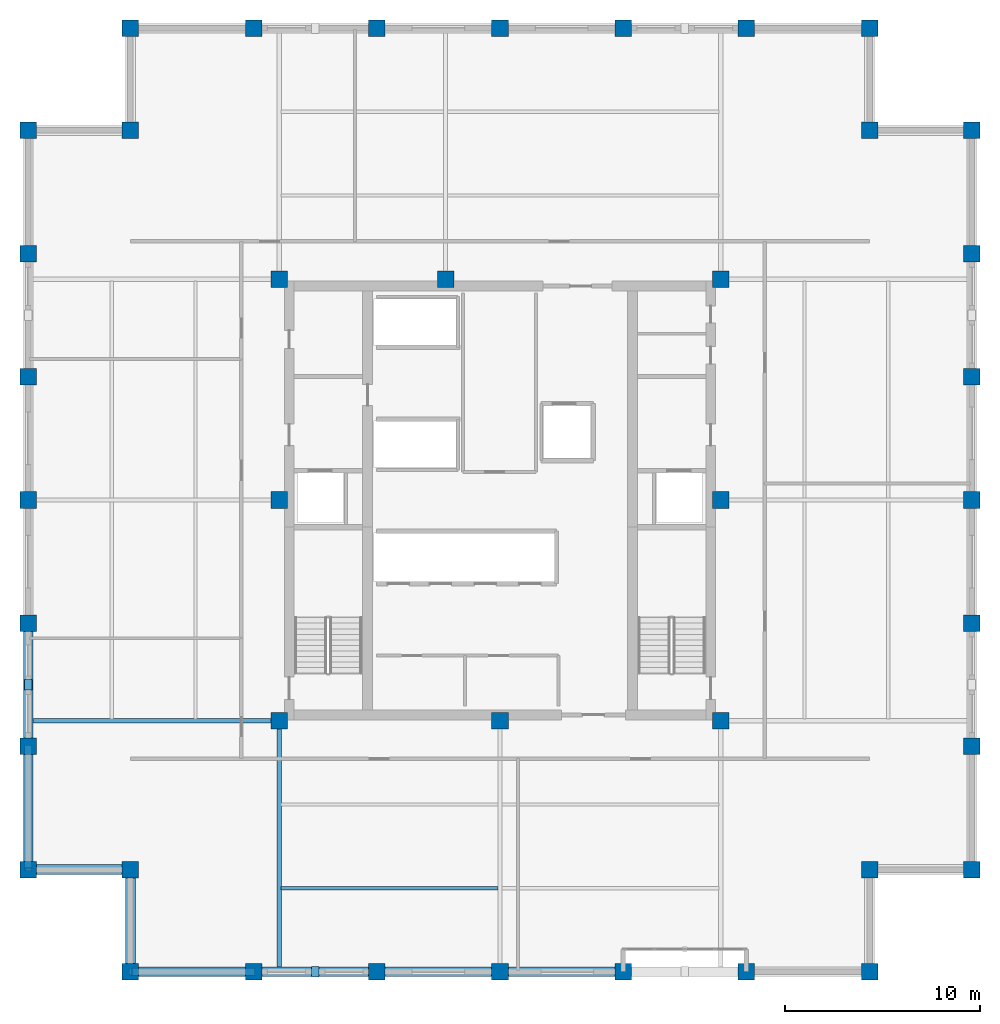
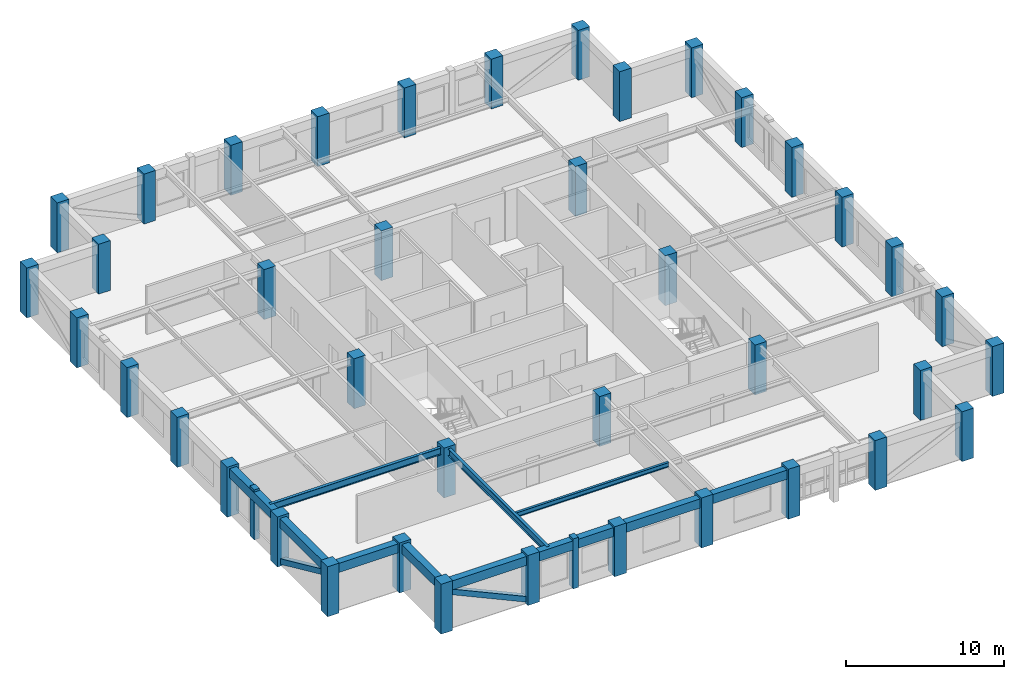
# One storey, part 1 of 10: 40 columns, 11 beams, 4 members.
"""IFC4 building model written with IfcOpenShell, lengths in metres."""

import ifcopenshell
import ifcopenshell.guid

model = None  # the IFC model being written
_history = None  # IfcOwnerHistory: only IFC2X3 demands one
_inside = {}  # id of a spatial element -> (the spatial element, [elements in it])
_under = {}  # id of a project, library or spatial element -> (it, [spatial elements below it])
_declared = {}  # id of a project -> (the project, [libraries it declares])
_typed = {}  # id of a type object -> (the type object, [elements of that type])
_made_of = {}  # id of a material, layer set ... -> (it, [elements and type objects made of it])


def new_model(schema):
    """Start an empty IFC model of exactly this schema.

    Asked for "IFC4X3", IfcOpenShell would pick the latest addendum, in which some entities
    have other attributes; the version numbers below select the first issue.
    IFC2X3 requires an IfcOwnerHistory on every rooted entity: one is made here for all.
    """
    global model, _history
    if schema == "IFC4X3":
        model = ifcopenshell.file(schema_version=(4, 3, 0, 0))
    else:
        model = ifcopenshell.file(schema=schema)
    _inside.clear()
    _under.clear()
    _declared.clear()
    _typed.clear()
    _made_of.clear()
    _history = None
    if model.schema == "IFC2X3":
        org = make("IfcOrganization", Name="unknown")
        user = make(
            "IfcPersonAndOrganization",
            ThePerson=make("IfcPerson", FamilyName="unknown"),
            TheOrganization=org,
        )
        app = make(
            "IfcApplication",
            ApplicationDeveloper=org,
            Version="unknown",
            ApplicationFullName="unknown",
            ApplicationIdentifier="unknown",
        )
        _history = make(
            "IfcOwnerHistory",
            OwningUser=user,
            OwningApplication=app,
            ChangeAction="ADDED",
            CreationDate=0,
        )
    return model


def make(cls, **values):
    """One entity of the class cls with the attributes given. An attribute that is None is left unset."""
    return model.create_entity(
        cls, **{name: value for name, value in values.items() if value is not None}
    )


def rooted(cls, **values):
    """An entity with a GlobalId (a new one), such as an element, a storey or a relation."""
    return make(cls, GlobalId=ifcopenshell.guid.new(), OwnerHistory=_history, **values)


def si_unit(unit_type, name, prefix=None):
    """IfcSIUnit, for example si_unit("LENGTHUNIT", "METRE", prefix="MILLI")."""
    return make("IfcSIUnit", UnitType=unit_type, Prefix=prefix, Name=name)


def assignment(units):
    """IfcUnitAssignment: the units of a project."""
    return None if units is None else make("IfcUnitAssignment", Units=units)


def point(xyz):
    """IfcCartesianPoint."""
    return None if xyz is None else make("IfcCartesianPoint", Coordinates=xyz)


def direction(xyz):
    """IfcDirection."""
    return None if xyz is None else make("IfcDirection", DirectionRatios=xyz)


def frame(location, z_axis=None, x_axis=None):
    """IfcAxis2Placement3D, a coordinate frame: its origin and axes. An axis left out is left unset."""
    return make(
        "IfcAxis2Placement3D",
        Location=point(location),
        Axis=direction(z_axis),
        RefDirection=direction(x_axis),
    )


def frame_2d(location, x_axis=None):
    """IfcAxis2Placement2D, a coordinate frame in the plane: its origin and x axis."""
    return make(
        "IfcAxis2Placement2D", Location=point(location), RefDirection=direction(x_axis)
    )


def origin():
    """The frame at (0, 0, 0) with its axes left unset."""
    return frame((0.0, 0.0, 0.0))


def origin_2d():
    """The frame at (0, 0) in the plane with its x axis left unset."""
    return frame_2d((0.0, 0.0))


def place(relative_to, where):
    """IfcLocalPlacement: puts the frame where relative to a parent placement (None: the world)."""
    return make(
        "IfcLocalPlacement", PlacementRelTo=relative_to, RelativePlacement=where
    )


def context(
    kind, dimensions, precision=None, world=None, true_north=None, identifier=None
):
    """IfcGeometricRepresentationContext, for example the 3D "Model" context."""
    return make(
        "IfcGeometricRepresentationContext",
        ContextIdentifier=identifier,
        ContextType=kind,
        CoordinateSpaceDimension=dimensions,
        Precision=precision,
        WorldCoordinateSystem=world,
        TrueNorth=true_north,
    )


def subcontext(parent, identifier, kind, view, scale=None):
    """IfcGeometricRepresentationSubContext, for example "Body" below "Model"."""
    return make(
        "IfcGeometricRepresentationSubContext",
        ContextIdentifier=identifier,
        ContextType=kind,
        ParentContext=parent,
        TargetScale=scale,
        TargetView=view,
    )


def project(units=None, contexts=None):
    """IfcProject with its units and contexts."""
    return rooted(
        "IfcProject",
        Name="project",
        RepresentationContexts=contexts,
        UnitsInContext=assignment(units),
    )


def spatial(cls, under=None, at=None, **own):
    """A site, building, storey or space (cls), placed at a placement, below another one or the project."""
    s = rooted(cls, ObjectPlacement=at, **own)
    if under is not None:
        _under.setdefault(under.id(), (under, []))[1].append(s)
    return s


def profile(cls, at=None, kind="AREA", **sizes):
    """A parametric profile (cls). Its sizes go by their IFC names, for example OverallWidth=200.0."""
    return make(cls, ProfileType=kind, Position=at, **sizes)


def rectangle(**sizes):
    """IfcRectangleProfileDef."""
    return profile("IfcRectangleProfileDef", **sizes)


def hollow_rectangle(**sizes):
    """IfcRectangleHollowProfileDef."""
    return profile("IfcRectangleHollowProfileDef", **sizes)


def i_section(**sizes):
    """IfcIShapeProfileDef."""
    return profile("IfcIShapeProfileDef", **sizes)


def extrude(swept, where, along, depth):
    """IfcExtrudedAreaSolid: the profile swept, set in the frame where, extruded along a direction by depth."""
    return make(
        "IfcExtrudedAreaSolid",
        SweptArea=swept,
        Position=where,
        ExtrudedDirection=direction(along),
        Depth=depth,
    )


def shape(context_of_items, identifier, shape_type, items):
    """IfcShapeRepresentation: the items that make up one representation, for example the "Body"."""
    return make(
        "IfcShapeRepresentation",
        ContextOfItems=context_of_items,
        RepresentationIdentifier=identifier,
        RepresentationType=shape_type,
        Items=items,
    )


def material(Name=None, Category=None):
    """IfcMaterial."""
    return make("IfcMaterial", Name=Name, Category=Category)


def material_profile(
    of_material, cross_section, Name=None, Category=None, Priority=None
):
    """IfcMaterialProfile: a cross section and its material."""
    return make(
        "IfcMaterialProfile",
        Name=Name,
        Material=of_material,
        Profile=cross_section,
        Priority=Priority,
        Category=Category,
    )


def profile_set(profiles, Name=None, composite=None):
    """IfcMaterialProfileSet."""
    return make(
        "IfcMaterialProfileSet",
        Name=Name,
        MaterialProfiles=profiles,
        CompositeProfile=composite,
    )


def made_of(thing, what):
    """Note that an element or type object is made of a material, layer set ...; save() writes the relation."""
    if what is not None:
        _made_of.setdefault(what.id(), (what, []))[1].append(thing)
    return thing


def type_object(cls, material=None, **own):
    """A type object (cls), such as IfcWallType, which elements share."""
    return made_of(rooted(cls, **own), material)


def element(
    cls,
    number,
    at=None,
    inside=None,
    cuts=None,
    type_object=None,
    material=None,
    context=None,
    identifier="Body",
    shape_type=None,
    held_by="IfcProductDefinitionShape",
    body=None,
    shapes=None,
    **own,
):
    """One element of the class cls, such as IfcWall. Its Tag is "e" and its number.

    at: its placement. inside: the storey or other place that contains it. cuts: it is an
    opening in that element (IfcRelVoidsElement). A single representation is given by context,
    identifier, shape_type and body (its items); several are given by shapes. held_by: the class
    of the entity that holds the representations. save() writes the other relations.
    """
    e = rooted(cls, Tag="e%d" % number, ObjectPlacement=at, **own)
    if body is not None:
        shapes = [shape(context, identifier, shape_type, body)]
    if shapes is not None:
        e.Representation = make(held_by, Representations=shapes)
    if inside is not None:
        _inside.setdefault(inside.id(), (inside, []))[1].append(e)
    if cuts is not None:
        rooted(
            "IfcRelVoidsElement", RelatingBuildingElement=cuts, RelatedOpeningElement=e
        )
    if type_object is not None:
        _typed.setdefault(type_object.id(), (type_object, []))[1].append(e)
    return made_of(e, material)


def aggregate(whole, parts):
    """IfcRelAggregates: a whole, such as a stair, and the parts it consists of."""
    return rooted("IfcRelAggregates", RelatingObject=whole, RelatedObjects=parts)


def save(model, path):
    """Write the relations noted so far, then the file.

    IfcRelAggregates (storeys below a building ...), IfcRelContainedInSpatialStructure (elements
    in a storey), IfcRelDefinesByType, IfcRelAssociatesMaterial and IfcRelDeclares: one each for
    every whole, place, type object, material and project.
    """
    for whole, parts in _under.values():
        aggregate(whole, parts)
    for where, things in _inside.values():
        rooted(
            "IfcRelContainedInSpatialStructure",
            RelatedElements=things,
            RelatingStructure=where,
        )
    for kind, things in _typed.values():
        rooted("IfcRelDefinesByType", RelatedObjects=things, RelatingType=kind)
    for what, things in _made_of.values():
        rooted("IfcRelAssociatesMaterial", RelatedObjects=things, RelatingMaterial=what)
    for by, libraries in _declared.values():
        rooted("IfcRelDeclares", RelatingContext=by, RelatedDefinitions=libraries)
    model.write(path)


model = new_model("IFC4")

# Units and contexts
model_context = context("Model", 3, precision=1e-05, world=origin(), true_north=direction((0.0, 1.0)))
body_context = subcontext(model_context, "Body", "Model", "MODEL_VIEW")
ifc_project = project(units=[si_unit("LENGTHUNIT", "METRE"), si_unit("AREAUNIT", "SQUARE_METRE"), si_unit("VOLUMEUNIT", "CUBIC_METRE"), si_unit("PLANEANGLEUNIT", "RADIAN"), si_unit("MASSUNIT", "GRAM", prefix="KILO")], contexts=[model_context])

# Site, building, storey
site_placement = place(None, origin())
site = spatial("IfcSite", under=ifc_project, at=site_placement, CompositionType="ELEMENT")
building_placement = place(site_placement, origin())
building = spatial("IfcBuilding", under=site, at=building_placement, Name="Nhamokura Convention Tower", CompositionType="ELEMENT")
storey_placement = place(building_placement, frame((0.0, 0.0, 210.0)))
storey = spatial("IfcBuildingStorey", under=building, at=storey_placement, Name="L51", CompositionType="ELEMENT", Elevation=210.0)

# Columns
ifc_material_1 = material(Name="Concrete C50/60", Category="concrete")
ifc_material_profile_1 = material_profile(ifc_material_1, rectangle(XDim=0.85009765625, YDim=0.85009765625, at=origin_2d()))
ifc_profile_set_1 = profile_set([ifc_material_profile_1], Name="Concrete C50/60")
column_type = type_object("IfcColumnType", Name="TubeColumn_Z3_850", PredefinedType="COLUMN", material=ifc_profile_set_1)
for number, where, z_axis, x_axis, name in (
    (1, (20.64990234375, 20.64990234375, 0.0), (0.0, 0.0, 1.0), (1.0, 0.0, 0.0), "L51 Core Column CC-SW"),
    (2, (32.0, 20.64990234375, 0.0), (0.0, 0.0, 1.0), (1.0, 0.0, 0.0), "L51 Core Column CC-S"),
    (3, (43.35009765625, 20.64990234375, 0.0), (0.0, 0.0, 1.0), (1.0, 0.0, 0.0), "L51 Core Column CC-SE"),
    (4, (43.35009765625, 32.0, 0.0), (0.0, 0.0, 1.0), (1.0, 0.0, 0.0), "L51 Core Column CC-E"),
    (5, (43.35009765625, 43.35009765625, 0.0), (0.0, 0.0, 1.0), (1.0, 0.0, 0.0), "L51 Core Column CC-NE"),
    (6, (29.199951171875, 43.35009765625, 0.0), (0.0, 0.0, 1.0), (1.0, 0.0, 0.0), "L51 Core Column CC-N"),
    (7, (20.64990234375, 43.35009765625, 0.0), (0.0, 0.0, 1.0), (1.0, 0.0, 0.0), "L51 Core Column CC-NW"),
    (8, (20.64990234375, 32.0, 0.0), (0.0, 0.0, 1.0), (1.0, 0.0, 0.0), "L51 Core Column CC-W"),
    (9, (13.0, 7.75, 0.0), (0.0, 0.0, 1.0), (1.0, 0.0, 0.0), "L51 Perimeter Tube Column SW1"),
    (10, (13.0, 13.0, 0.0), (0.0, 0.0, 1.0), (1.0, 0.0, 0.0), "L51 Perimeter Tube Column SW0"),
    (11, (7.75, 13.0, 0.0), (0.0, 0.0, 1.0), (1.0, 0.0, 0.0), "L51 Perimeter Tube Column SW2"),
    (12, (51.0, 7.75, 0.0), (0.0, 0.0, 1.0), (1.0, 0.0, 0.0), "L51 Perimeter Tube Column SE1"),
    (13, (51.0, 13.0, 0.0), (0.0, 0.0, 1.0), (1.0, 0.0, 0.0), "L51 Perimeter Tube Column SE0"),
    (14, (56.25, 13.0, 0.0), (0.0, 0.0, 1.0), (1.0, 0.0, 0.0), "L51 Perimeter Tube Column SE2"),
    (15, (56.25, 51.0, 0.0), (0.0, 0.0, 1.0), (1.0, 0.0, 0.0), "L51 Perimeter Tube Column NE1"),
    (16, (51.0, 51.0, 0.0), (0.0, 0.0, 1.0), (1.0, 0.0, 0.0), "L51 Perimeter Tube Column NE0"),
    (17, (51.0, 56.25, 0.0), (0.0, 0.0, 1.0), (1.0, 0.0, 0.0), "L51 Perimeter Tube Column NE2"),
    (18, (13.0, 56.25, 0.0), (0.0, 0.0, 1.0), (1.0, 0.0, 0.0), "L51 Perimeter Tube Column NW1"),
    (19, (13.0, 51.0, 0.0), (0.0, 0.0, 1.0), (1.0, 0.0, 0.0), "L51 Perimeter Tube Column NW0"),
    (20, (7.75, 51.0, 0.0), (0.0, 0.0, 1.0), (1.0, 0.0, 0.0), "L51 Perimeter Tube Column NW2"),
    (21, (19.333251953125, 7.75, 0.0), (0.0, 0.0, 1.0), (1.0, 0.0, 0.0), "L51 Perimeter Tube Column S1"),
    (22, (19.333251953125, 56.25, 0.0), (0.0, 0.0, 1.0), (1.0, 0.0, 0.0), "L51 Perimeter Tube Column N1"),
    (23, (7.75, 19.333251953125, 0.0), (0.0, 0.0, 1.0), (1.0, 0.0, 0.0), "L51 Perimeter Tube Column W1"),
    (24, (56.25, 19.333251953125, 0.0), (0.0, 0.0, 1.0), (1.0, 0.0, 0.0), "L51 Perimeter Tube Column E1"),
    (25, (25.666748046875, 7.75, 0.0), (0.0, 0.0, 1.0), (1.0, 0.0, 0.0), "L51 Perimeter Tube Column S2"),
    (26, (25.666748046875, 56.25, 0.0), (0.0, 0.0, 1.0), (1.0, 0.0, 0.0), "L51 Perimeter Tube Column N2"),
    (27, (7.75, 25.666748046875, 0.0), (0.0, 0.0, 1.0), (1.0, 0.0, 0.0), "L51 Perimeter Tube Column W2"),
    (28, (56.25, 25.666748046875, 0.0), (0.0, 0.0, 1.0), (1.0, 0.0, 0.0), "L51 Perimeter Tube Column E2"),
    (29, (32.0, 7.75, 0.0), (0.0, 0.0, 1.0), (1.0, 0.0, 0.0), "L51 Perimeter Tube Column S3"),
    (30, (32.0, 56.25, 0.0), (0.0, 0.0, 1.0), (1.0, 0.0, 0.0), "L51 Perimeter Tube Column N3"),
    (31, (7.75, 32.0, 0.0), (0.0, 0.0, 1.0), (1.0, 0.0, 0.0), "L51 Perimeter Tube Column W3"),
    (32, (56.25, 32.0, 0.0), (0.0, 0.0, 1.0), (1.0, 0.0, 0.0), "L51 Perimeter Tube Column E3"),
    (33, (38.333251953125, 7.75, 0.0), (0.0, 0.0, 1.0), (1.0, 0.0, 0.0), "L51 Perimeter Tube Column S4"),
    (34, (38.333251953125, 56.25, 0.0), (0.0, 0.0, 1.0), (1.0, 0.0, 0.0), "L51 Perimeter Tube Column N4"),
    (35, (7.75, 38.333251953125, 0.0), (0.0, 0.0, 1.0), (1.0, 0.0, 0.0), "L51 Perimeter Tube Column W4"),
    (36, (56.25, 38.333251953125, 0.0), (0.0, 0.0, 1.0), (1.0, 0.0, 0.0), "L51 Perimeter Tube Column E4"),
    (37, (44.666748046875, 7.75, 0.0), (0.0, 0.0, 1.0), (1.0, 0.0, 0.0), "L51 Perimeter Tube Column S5"),
    (38, (44.666748046875, 56.25, 0.0), (0.0, 0.0, 1.0), (1.0, 0.0, 0.0), "L51 Perimeter Tube Column N5"),
    (39, (7.75, 44.666748046875, 0.0), (0.0, 0.0, 1.0), (1.0, 0.0, 0.0), "L51 Perimeter Tube Column W5"),
    (40, (56.25, 44.666748046875, 0.0), (0.0, 0.0, 1.0), (1.0, 0.0, 0.0), "L51 Perimeter Tube Column E5"),
):
    element("IfcColumn", number, at=place(storey_placement, frame(where, z_axis=z_axis, x_axis=x_axis)), inside=storey, type_object=column_type, Name=name, PredefinedType="COLUMN", context=body_context, shape_type="SweptSolid", body=[
        extrude(rectangle(XDim=0.85009765625, YDim=0.85009765625, at=origin_2d()), origin(), (0.0, 0.0, 1.0), 3.85009765625),
    ])

# Members
ifc_material_2 = material(Name="Bronze-pigmented precast concrete C45/55", Category="concrete")
ifc_material_profile_2 = material_profile(ifc_material_2, rectangle(XDim=0.39990234375, YDim=0.550048828125, at=origin_2d()))
ifc_profile_set_2 = profile_set([ifc_material_profile_2], Name="Bronze-pigmented precast concrete C45/55")
member_type_1 = type_object("IfcMemberType", Name="BronzePilaster_550", PredefinedType="USERDEFINED", material=ifc_profile_set_2)
for number, where, z_axis, x_axis, name in (
    (41, (22.5, 7.75, 0.0), (0.0, 0.0, 1.0), (1.0, 0.0, 0.0), "L51 Engaged Frame Pilaster SOUTH 1"),
    (42, (7.75, 22.5, 0.0), (0.0, 0.0, 1.0), (1.0, 0.0, 0.0), "L51 Engaged Frame Pilaster WEST 1"),
):
    element("IfcMember", number, at=place(storey_placement, frame(where, z_axis=z_axis, x_axis=x_axis)), inside=storey, type_object=member_type_1, Name=name, ObjectType="PILASTER_TRIM", PredefinedType="USERDEFINED", context=body_context, shape_type="SweptSolid", body=[
        extrude(rectangle(XDim=0.39990234375, YDim=0.550048828125, at=origin_2d()), origin(), (0.0, 0.0, 1.0), 3.85009765625),
    ])

# Beams
ifc_material_3 = material(Name="Steel ASTM A992 Gr 50", Category="steel")
ifc_material_profile_3 = material_profile(ifc_material_3, i_section(OverallWidth=0.172119140625, OverallDepth=0.35791015625, WebThickness=0.0078125, FlangeThickness=0.01318359375, at=origin_2d()))
ifc_profile_set_3 = profile_set([ifc_material_profile_3], Name="Steel ASTM A992 Gr 50")
beam_type_1 = type_object("IfcBeamType", Name="FloorJoist_W360X57", PredefinedType="JOIST", material=ifc_profile_set_3)
beam_1_placement = place(storey_placement, frame((20.75341796875, 12.050048828125, 3.506103515625), z_axis=(1.0, 0.0, 0.0), x_axis=(0.0, 1.0, 0.0)))
element("IfcBeam", 43, at=beam_1_placement, inside=storey, type_object=beam_type_1, Name="L51 Composite Floor Joist S1A", PredefinedType="JOIST", context=body_context, shape_type="SweptSolid", body=[
    extrude(i_section(OverallWidth=0.172119140625, OverallDepth=0.35791015625, WebThickness=0.0078125, FlangeThickness=0.01318359375, at=origin_2d()), origin(), (0.0, 0.0, 1.0), 11.14306640625),
])
ifc_material_4 = material(Name="Steel ASTM A992 Gr 50", Category="steel")
ifc_material_profile_4 = material_profile(ifc_material_4, i_section(OverallWidth=0.2109375, OverallDepth=0.5390625, WebThickness=0.01171875, FlangeThickness=0.018798828125, at=origin_2d()))
ifc_profile_set_4 = profile_set([ifc_material_profile_4], Name="Steel ASTM A992 Gr 50")
beam_type_2 = type_object("IfcBeamType", Name="PrimaryGirder_W530X109", PredefinedType="BEAM", material=ifc_profile_set_4)
for number, where, z_axis, x_axis, name in (
    (44, (20.64990234375, 7.75, 3.41552734375), (0.0, 1.0, 0.0), (-1.0, 0.0, 0.0), "L51 Primary Floor Girder PG-S1"),
    (45, (7.75, 20.64990234375, 3.41552734375), (1.0, 0.0, 0.0), (0.0, 1.0, 0.0), "L51 Primary Floor Girder PG-W1"),
):
    element("IfcBeam", number, at=place(storey_placement, frame(where, z_axis=z_axis, x_axis=x_axis)), inside=storey, type_object=beam_type_2, Name=name, PredefinedType="BEAM", context=body_context, shape_type="SweptSolid", body=[
        extrude(i_section(OverallWidth=0.2109375, OverallDepth=0.5390625, WebThickness=0.01171875, FlangeThickness=0.018798828125, at=origin_2d()), origin(), (0.0, 0.0, 1.0), 12.89990234375),
    ])

# Members
ifc_material_5 = material(Name="Steel ASTM A572 Gr 50", Category="steel")
ifc_material_profile_5 = material_profile(ifc_material_5, hollow_rectangle(XDim=0.39990234375, YDim=0.39990234375, WallThickness=0.02001953125, at=origin_2d()))
ifc_profile_set_5 = profile_set([ifc_material_profile_5], Name="Steel ASTM A572 Gr 50")
member_type_2 = type_object("IfcMemberType", Name="TubeBrace_HSS400", PredefinedType="BRACE", material=ifc_profile_set_5)
for number, where, z_axis, x_axis, name in (
    (46, (19.333251953125, 7.75, 0.14990234375), (-0.910027379678, 0.0, 0.41454814948), (0.0, -1.0, 0.0), "L51 Perimeter Tube Brace SOUTH Bay 0"),
    (47, (7.75, 19.333251953125, 0.14990234375), (0.0, -0.910027379678, 0.41454814948), (1.0, 0.0, 0.0), "L51 Perimeter Tube Brace WEST Bay 0"),
):
    element("IfcMember", number, at=place(storey_placement, frame(where, z_axis=z_axis, x_axis=x_axis)), inside=storey, type_object=member_type_2, Name=name, PredefinedType="BRACE", context=body_context, shape_type="SweptSolid", body=[
        extrude(hollow_rectangle(XDim=0.39990234375, YDim=0.39990234375, WallThickness=0.02001953125, at=origin_2d()), origin(), (0.0, 0.0, 1.0), 6.95947265625),
    ])

# Beams
ifc_material_6 = material(Name="Concrete C50/60", Category="concrete")
ifc_material_profile_6 = material_profile(ifc_material_6, rectangle(XDim=0.5, YDim=0.699951171875, at=origin_2d()))
ifc_profile_set_6 = profile_set([ifc_material_profile_6], Name="Concrete C50/60")
beam_type_3 = type_object("IfcBeamType", Name="TubeSpandrel_700", PredefinedType="SPANDREL", material=ifc_profile_set_6)
beam_2_placement = place(storey_placement, frame((13.0, 7.75, 3.3349609375), z_axis=(1.0, 0.0, 0.0), x_axis=(0.0, 1.0, 0.0)))
element("IfcBeam", 48, at=beam_2_placement, inside=storey, type_object=beam_type_3, Name="L51 Perimeter Spandrel SOUTH 1", PredefinedType="SPANDREL", context=body_context, shape_type="SweptSolid", body=[
    extrude(rectangle(XDim=0.5, YDim=0.699951171875, at=origin_2d()), origin(), (0.0, 0.0, 1.0), 6.333251953125),
])
beam_3_placement = place(storey_placement, frame((19.333251953125, 7.75, 3.3349609375), z_axis=(1.0, 0.0, 0.0), x_axis=(0.0, 1.0, 0.0)))
element("IfcBeam", 49, at=beam_3_placement, inside=storey, type_object=beam_type_3, Name="L51 Perimeter Spandrel SOUTH 2", PredefinedType="SPANDREL", context=body_context, shape_type="SweptSolid", body=[
    extrude(rectangle(XDim=0.5, YDim=0.699951171875, at=origin_2d()), origin(), (0.0, 0.0, 1.0), 6.33349609375),
])
for number, where, z_axis, x_axis, name in (
    (50, (25.666748046875, 7.75, 3.3349609375), (1.0, 0.0, 0.0), (0.0, 1.0, 0.0), "L51 Perimeter Spandrel SOUTH 3"),
    (51, (32.0, 7.75, 3.3349609375), (1.0, 0.0, 0.0), (0.0, 1.0, 0.0), "L51 Perimeter Spandrel SOUTH 4"),
    (52, (7.75, 13.0, 3.3349609375), (0.0, 1.0, 0.0), (-1.0, 0.0, 0.0), "L51 Perimeter Spandrel WEST 1"),
):
    element("IfcBeam", number, at=place(storey_placement, frame(where, z_axis=z_axis, x_axis=x_axis)), inside=storey, type_object=beam_type_3, Name=name, PredefinedType="SPANDREL", context=body_context, shape_type="SweptSolid", body=[
        extrude(rectangle(XDim=0.5, YDim=0.699951171875, at=origin_2d()), origin(), (0.0, 0.0, 1.0), 6.333251953125),
    ])
beam_4_placement = place(storey_placement, frame((7.75, 19.333251953125, 3.3349609375), z_axis=(0.0, 1.0, 0.0), x_axis=(-1.0, 0.0, 0.0)))
element("IfcBeam", 53, at=beam_4_placement, inside=storey, type_object=beam_type_3, Name="L51 Perimeter Spandrel WEST 2", PredefinedType="SPANDREL", context=body_context, shape_type="SweptSolid", body=[
    extrude(rectangle(XDim=0.5, YDim=0.699951171875, at=origin_2d()), origin(), (0.0, 0.0, 1.0), 6.33349609375),
])
for number, where, z_axis, x_axis, name in (
    (54, (13.0, 7.75, 3.3349609375), (0.0, 1.0, 0.0), (-1.0, 0.0, 0.0), "L51 Notch Spandrel SW1"),
    (55, (13.0, 13.0, 3.3349609375), (-1.0, 0.0, 0.0), (0.0, -1.0, 0.0), "L51 Notch Spandrel SW2"),
):
    element("IfcBeam", number, at=place(storey_placement, frame(where, z_axis=z_axis, x_axis=x_axis)), inside=storey, type_object=beam_type_3, Name=name, PredefinedType="SPANDREL", context=body_context, shape_type="SweptSolid", body=[
        extrude(rectangle(XDim=0.5, YDim=0.699951171875, at=origin_2d()), origin(), (0.0, 0.0, 1.0), 5.25),
    ])

save(model, "model.ifc")
